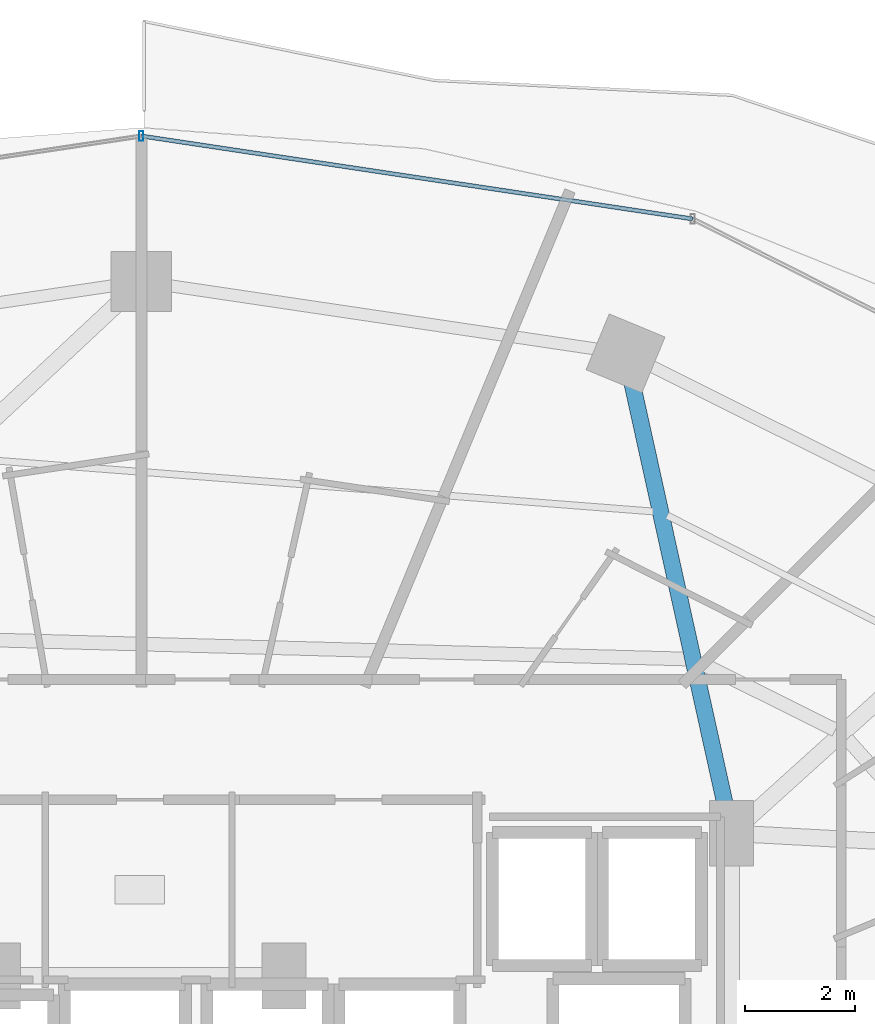
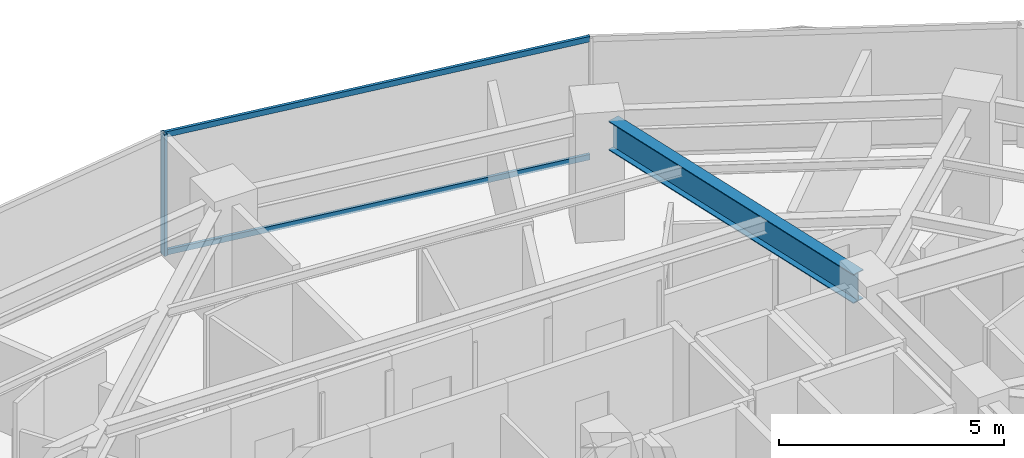
# One storey, part 20 of 30: 3 members, 1 beam, 1 element without a shape of its own.
"""IFC4 building model written with IfcOpenShell, lengths in metres."""

from ifc_helpers import new_model, si_unit, direction, frame, origin, origin_2d, place, context, subcontext, project, spatial, hollow_rectangle, i_section, extrude, material, material_profile, profile_set, type_object, element, aggregate, save


model = new_model("IFC4")

# Units and contexts
model_context = context("Model", 3, precision=1e-05, world=origin(), true_north=direction((0.0, 1.0)))
body_context = subcontext(model_context, "Body", "Model", "MODEL_VIEW")
ifc_project = project(units=[si_unit("LENGTHUNIT", "METRE"), si_unit("AREAUNIT", "SQUARE_METRE"), si_unit("VOLUMEUNIT", "CUBIC_METRE"), si_unit("PLANEANGLEUNIT", "RADIAN"), si_unit("MASSUNIT", "GRAM", prefix="KILO")], contexts=[model_context])

# Site, building, storey
site_placement = place(None, origin())
site = spatial("IfcSite", under=ifc_project, at=site_placement, CompositionType="ELEMENT")
building_placement = place(site_placement, origin())
building = spatial("IfcBuilding", under=site, at=building_placement, Name="Vorneva Point Tower", CompositionType="ELEMENT")
storey_placement = place(building_placement, frame((0.0, 0.0, 106.800048828125)))
storey = spatial("IfcBuildingStorey", under=building, at=storey_placement, Name="L28", CompositionType="ELEMENT", Elevation=106.800048828125)

# Beam
ifc_material_1 = material(Name="Steel S355", Category="steel")
ifc_material_profile_1 = material_profile(ifc_material_1, i_section(OverallWidth=0.300048828125, OverallDepth=0.7880859375, WebThickness=0.014404296875, FlangeThickness=0.02197265625, at=origin_2d()), Name="80Sh1")
ifc_profile_set_1 = profile_set([ifc_material_profile_1], Name="Steel S355")
beam_type = type_object("IfcBeamType", Name="BM-GRD-80Sh1", PredefinedType="USERDEFINED", material=ifc_profile_set_1)
beam_placement = place(storey_placement, frame((46.936767578125, 41.365234375, 2.845947265625), z_axis=(0.215530944428, -0.976497010745, 0.0), x_axis=(0.976497010745, 0.215530944428, 0.0)))
element("IfcBeam", 1, at=beam_placement, inside=storey, type_object=beam_type, Name="L28 Radial Primary Girder 04", ObjectType="GIRDER", PredefinedType="USERDEFINED", context=body_context, shape_type="SweptSolid", body=[
    extrude(i_section(OverallWidth=0.300048828125, OverallDepth=0.7880859375, WebThickness=0.014404296875, FlangeThickness=0.02197265625, at=origin_2d()), origin(), (0.0, 0.0, 1.0), 8.072998046875),
])

# Curtain wall, members
ifc_material_2 = material(Name="Pale anodised aluminium", Category="aluminium")
curtain_wall_type = type_object("IfcCurtainWallType", Name="CW-HTL-SYS", PredefinedType="NOTDEFINED", material=ifc_material_2)
curtain_wall_placement = place(storey_placement, origin())
curtain_wall = element("IfcCurtainWall", 2, at=curtain_wall_placement, inside=storey, type_object=curtain_wall_type, Name="L28 Unitised Curtain Wall CW-L28-R02", PredefinedType="NOTDEFINED")
ifc_material_profile_2 = material_profile(ifc_material_2, hollow_rectangle(XDim=0.074951171875, YDim=0.179931640625, WallThickness=0.00390625, at=origin_2d()), Name="AL-MUL 180x75x4")
ifc_profile_set_2 = profile_set([ifc_material_profile_2], Name="Pale anodised aluminium")
member_type_1 = type_object("IfcMemberType", Name="CW-MUL-180", PredefinedType="MULLION", material=ifc_profile_set_2)
member_1_placement = place(storey_placement, frame((38.0, 45.85009765625, -0.0400390625), z_axis=(0.0, 0.0, 1.0), x_axis=(1.0, 0.0, 0.0)))
member_1 = element("IfcMember", 3, at=member_1_placement, type_object=member_type_1, Name="CW-L28-R02 Mullion 03", PredefinedType="MULLION", context=body_context, shape_type="SweptSolid", body=[
    extrude(hollow_rectangle(XDim=0.074951171875, YDim=0.179931640625, WallThickness=0.00390625, at=origin_2d()), origin(), (0.0, 0.0, 1.0), 3.31005859375),
])
ifc_material_profile_3 = material_profile(ifc_material_2, hollow_rectangle(XDim=0.074951171875, YDim=0.14990234375, WallThickness=0.00390625, at=origin_2d()), Name="AL-TRN 150x75x4")
ifc_profile_set_3 = profile_set([ifc_material_profile_3], Name="Pale anodised aluminium")
member_type_2 = type_object("IfcMemberType", Name="CW-TRN-150", PredefinedType="USERDEFINED", material=ifc_profile_set_3)
member_2_placement = place(storey_placement, frame((48.04541015625, 44.339111328125, 0.02001953125), z_axis=(-0.988875982167, 0.148742367512, 0.0), x_axis=(-0.148742367512, -0.988875982167, 0.0)))
member_2 = element("IfcMember", 4, at=member_2_placement, type_object=member_type_2, Name="CW-L28-R02 Transom 02.1", ObjectType="TRANSOM", PredefinedType="USERDEFINED", context=body_context, shape_type="SweptSolid", body=[
    extrude(hollow_rectangle(XDim=0.074951171875, YDim=0.14990234375, WallThickness=0.00390625, at=origin_2d()), origin(), (0.0, 0.0, 1.0), 10.158447265625),
])
member_3_placement = place(storey_placement, frame((48.04541015625, 44.339111328125, 3.219970703125), z_axis=(-0.988875982167, 0.148742367512, 0.0), x_axis=(-0.148742367512, -0.988875982167, 0.0)))
member_3 = element("IfcMember", 5, at=member_3_placement, type_object=member_type_2, Name="CW-L28-R02 Transom 02.2", ObjectType="TRANSOM", PredefinedType="USERDEFINED", context=body_context, shape_type="SweptSolid", body=[
    extrude(hollow_rectangle(XDim=0.074951171875, YDim=0.14990234375, WallThickness=0.00390625, at=origin_2d()), origin(), (0.0, 0.0, 1.0), 10.158447265625),
])
aggregate(curtain_wall, [member_1, member_2, member_3])

save(model, "model.ifc")
